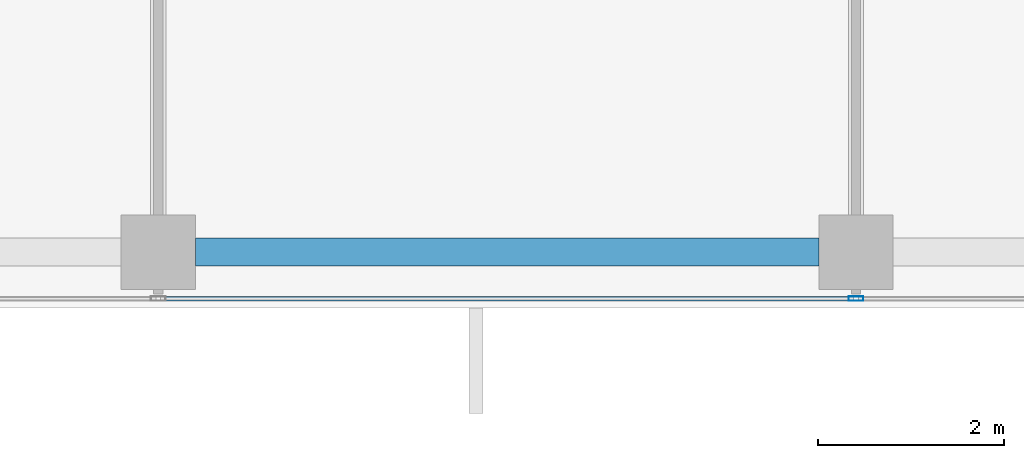
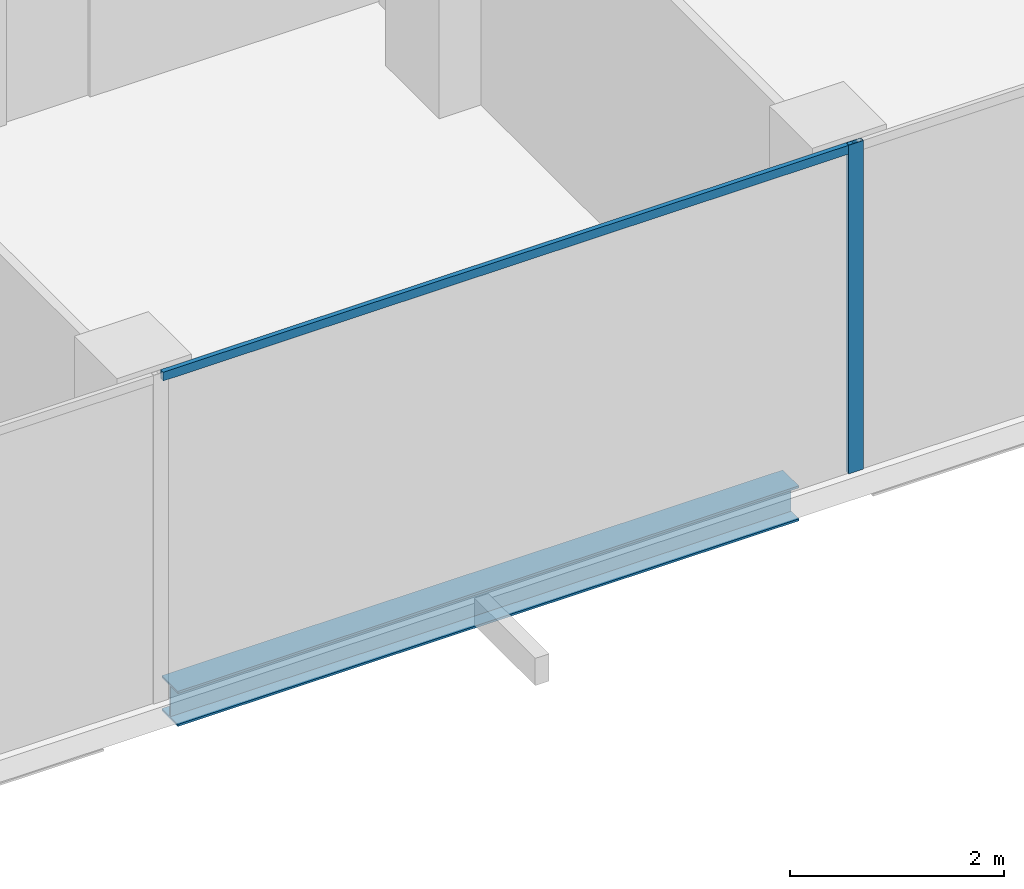
# One storey, part 6 of 29: 2 members, 1 beam, 1 element without a shape of its own.
"""IFC4 building model written with IfcOpenShell, lengths in metres."""

from ifc_helpers import new_model, si_unit, direction, frame, origin, origin_2d, place, context, subcontext, project, spatial, hollow_rectangle, i_section, extrude, source, transform, mapped, material, material_profile, profile_set, type_object, element, aggregate, save


model = new_model("IFC4")

# Units and contexts
model_context = context("Model", 3, precision=1e-05, world=origin(), true_north=direction((0.0, 1.0)))
body_context = subcontext(model_context, "Body", "Model", "MODEL_VIEW")
ifc_project = project(units=[si_unit("LENGTHUNIT", "METRE"), si_unit("AREAUNIT", "SQUARE_METRE"), si_unit("VOLUMEUNIT", "CUBIC_METRE"), si_unit("PLANEANGLEUNIT", "RADIAN"), si_unit("MASSUNIT", "GRAM", prefix="KILO")], contexts=[model_context])

# Site, building, storey
site_placement = place(None, origin())
site = spatial("IfcSite", under=ifc_project, at=site_placement, CompositionType="ELEMENT")
building_placement = place(site_placement, origin())
building = spatial("IfcBuilding", under=site, at=building_placement, Name="Khomas Fold Tower", CompositionType="ELEMENT")
storey_placement = place(building_placement, frame((0.0, 0.0, 286.199951171875)))
storey = spatial("IfcBuildingStorey", under=building, at=storey_placement, Name="L64", CompositionType="ELEMENT", Elevation=286.199951171875)

# Beam
ifc_material_1 = material(Name="Steel S355", Category="steel")
ifc_material_profile_1 = material_profile(ifc_material_1, i_section(OverallWidth=0.300048828125, OverallDepth=0.39990234375, WebThickness=0.013427734375, FlangeThickness=0.02392578125, at=origin_2d()), Name="HE 400 B")
ifc_profile_set_1 = profile_set([ifc_material_profile_1], Name="Steel S355")
beam_type = type_object("IfcBeamType", Name="HE 400 B spandrel SB5", PredefinedType="SPANDREL", material=ifc_profile_set_1)
shared_shape_1 = source(origin(), body_context, "Body", "SweptSolid", [
    extrude(i_section(OverallWidth=0.300048828125, OverallDepth=0.39990234375, WebThickness=0.013427734375, FlangeThickness=0.02392578125, at=origin_2d()), origin(), (0.0, 0.0, 1.0), 6.7001953125),
])
beam_placement = place(storey_placement, frame((27.39990234375, 6.60009765625, -0.449951171875), z_axis=(1.0, 0.0, 0.0), x_axis=(0.0, 1.0, 0.0)))
element("IfcBeam", 1, at=beam_placement, inside=storey, type_object=beam_type, Name="SB5", PredefinedType="SPANDREL", context=body_context, shape_type="MappedRepresentation", body=[
    mapped(shared_shape_1, transform((0.0, 0.0, 0.0))),
])

# Curtain wall, members
ifc_material_2 = material(Name="Aluminium framed double glazing", Category="aluminium")
curtain_wall_type = type_object("IfcCurtainWallType", Name="SK-Unitised clear-glass wall, upper floors CW3", PredefinedType="NOTDEFINED", material=ifc_material_2)
curtain_wall_placement = place(storey_placement, origin())
curtain_wall = element("IfcCurtainWall", 2, at=curtain_wall_placement, inside=storey, type_object=curtain_wall_type, Name="CW3 run L64 00-0", PredefinedType="NOTDEFINED")
ifc_material_3 = material(Name="Aluminium", Category="aluminium")
ifc_material_profile_2 = material_profile(ifc_material_3, hollow_rectangle(XDim=0.050048828125, YDim=0.159912109375, WallThickness=0.00390625, at=origin_2d()), Name="SK-Unitised clear-glass wall, upper floors mullion CW3-M")
ifc_profile_set_2 = profile_set([ifc_material_profile_2], Name="Aluminium")
member_type_1 = type_object("IfcMemberType", Name="SK-Unitised clear-glass wall, upper floors mullion CW3-M", PredefinedType="MULLION", material=ifc_profile_set_2)
shared_shape_2 = source(origin(), body_context, "Body", "SweptSolid", [
    extrude(hollow_rectangle(XDim=0.050048828125, YDim=0.159912109375, WallThickness=0.00390625, at=origin_2d()), origin(), (0.0, 0.0, 1.0), 3.75),
])
member_1_placement = place(storey_placement, frame((34.5, 6.10009765625, 0.0), z_axis=(0.0, 0.0, 1.0), x_axis=(0.0, 1.0, 0.0)))
member_1 = element("IfcMember", 3, at=member_1_placement, type_object=member_type_1, Name="CW3 mullion 5", PredefinedType="MULLION", context=body_context, shape_type="MappedRepresentation", body=[
    mapped(shared_shape_2, transform((0.0, 0.0, 0.0))),
])
ifc_material_4 = material(Name="Aluminium", Category="aluminium")
ifc_material_profile_3 = material_profile(ifc_material_4, hollow_rectangle(XDim=0.050048828125, YDim=0.10009765625, WallThickness=0.00390625, at=origin_2d()), Name="SK-Unitised clear-glass wall, upper floors transom CW3-T")
ifc_profile_set_3 = profile_set([ifc_material_profile_3], Name="Aluminium")
member_type_2 = type_object("IfcMemberType", Name="SK-Unitised clear-glass wall, upper floors transom CW3-T", PredefinedType="USERDEFINED", material=ifc_profile_set_3)
shared_shape_3 = source(origin(), body_context, "Body", "SweptSolid", [
    extrude(hollow_rectangle(XDim=0.050048828125, YDim=0.10009765625, WallThickness=0.00390625, at=origin_2d()), origin(), (0.0, 0.0, 1.0), 7.4501953125),
])
member_2_placement = place(storey_placement, frame((27.02490234375, 6.10009765625, 3.699951171875), z_axis=(1.0, 0.0, 0.0), x_axis=(0.0, 1.0, 0.0)))
member_2 = element("IfcMember", 4, at=member_2_placement, type_object=member_type_2, Name="CW3 transom 4", ObjectType="TRANSOM", PredefinedType="USERDEFINED", context=body_context, shape_type="MappedRepresentation", body=[
    mapped(shared_shape_3, transform((0.0, 0.0, 0.0))),
])
aggregate(curtain_wall, [member_1, member_2])

save(model, "model.ifc")
